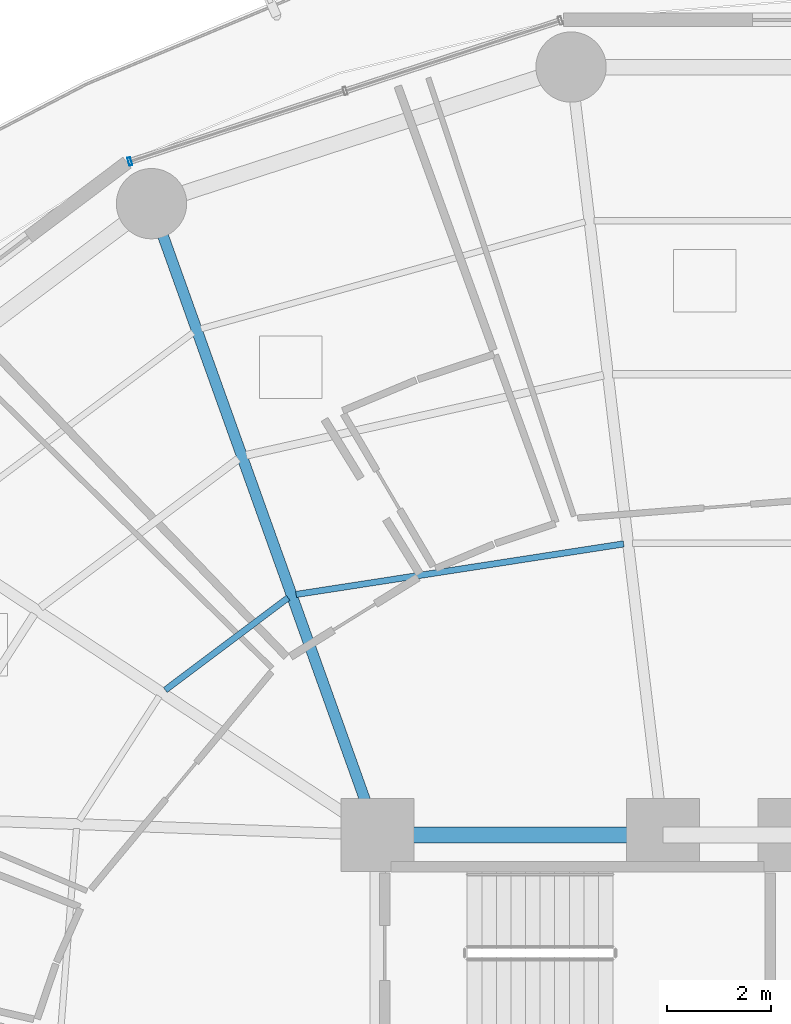
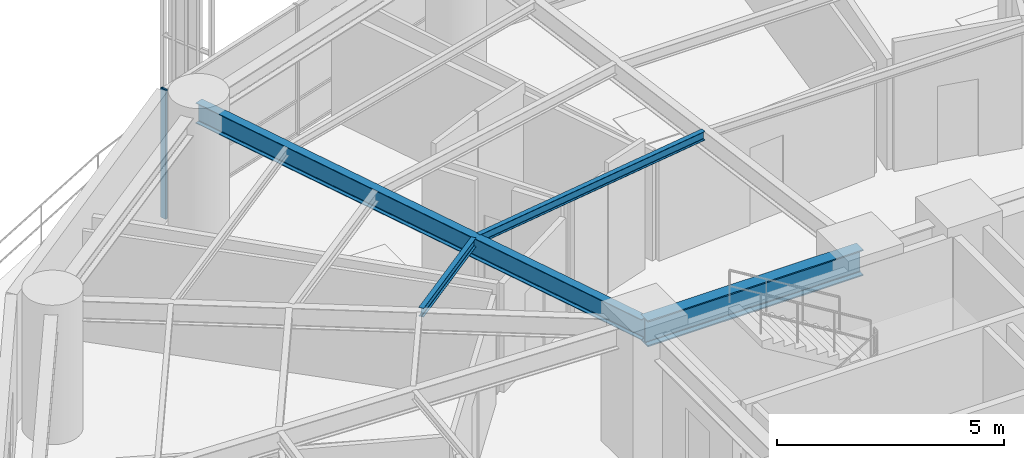
# One storey, part 17 of 33: 4 beams, 1 member, 1 element without a shape of its own.
"""IFC4 building model written with IfcOpenShell, lengths in metres."""

import ifcopenshell
import ifcopenshell.guid

model = None  # the IFC model being written
_history = None  # IfcOwnerHistory: only IFC2X3 demands one
_inside = {}  # id of a spatial element -> (the spatial element, [elements in it])
_under = {}  # id of a project, library or spatial element -> (it, [spatial elements below it])
_declared = {}  # id of a project -> (the project, [libraries it declares])
_typed = {}  # id of a type object -> (the type object, [elements of that type])
_made_of = {}  # id of a material, layer set ... -> (it, [elements and type objects made of it])


def new_model(schema):
    """Start an empty IFC model of exactly this schema.

    Asked for "IFC4X3", IfcOpenShell would pick the latest addendum, in which some entities
    have other attributes; the version numbers below select the first issue.
    IFC2X3 requires an IfcOwnerHistory on every rooted entity: one is made here for all.
    """
    global model, _history
    if schema == "IFC4X3":
        model = ifcopenshell.file(schema_version=(4, 3, 0, 0))
    else:
        model = ifcopenshell.file(schema=schema)
    _inside.clear()
    _under.clear()
    _declared.clear()
    _typed.clear()
    _made_of.clear()
    _history = None
    if model.schema == "IFC2X3":
        org = make("IfcOrganization", Name="unknown")
        user = make(
            "IfcPersonAndOrganization",
            ThePerson=make("IfcPerson", FamilyName="unknown"),
            TheOrganization=org,
        )
        app = make(
            "IfcApplication",
            ApplicationDeveloper=org,
            Version="unknown",
            ApplicationFullName="unknown",
            ApplicationIdentifier="unknown",
        )
        _history = make(
            "IfcOwnerHistory",
            OwningUser=user,
            OwningApplication=app,
            ChangeAction="ADDED",
            CreationDate=0,
        )
    return model


def make(cls, **values):
    """One entity of the class cls with the attributes given. An attribute that is None is left unset."""
    return model.create_entity(
        cls, **{name: value for name, value in values.items() if value is not None}
    )


def rooted(cls, **values):
    """An entity with a GlobalId (a new one), such as an element, a storey or a relation."""
    return make(cls, GlobalId=ifcopenshell.guid.new(), OwnerHistory=_history, **values)


def si_unit(unit_type, name, prefix=None):
    """IfcSIUnit, for example si_unit("LENGTHUNIT", "METRE", prefix="MILLI")."""
    return make("IfcSIUnit", UnitType=unit_type, Prefix=prefix, Name=name)


def assignment(units):
    """IfcUnitAssignment: the units of a project."""
    return None if units is None else make("IfcUnitAssignment", Units=units)


def point(xyz):
    """IfcCartesianPoint."""
    return None if xyz is None else make("IfcCartesianPoint", Coordinates=xyz)


def direction(xyz):
    """IfcDirection."""
    return None if xyz is None else make("IfcDirection", DirectionRatios=xyz)


def frame(location, z_axis=None, x_axis=None):
    """IfcAxis2Placement3D, a coordinate frame: its origin and axes. An axis left out is left unset."""
    return make(
        "IfcAxis2Placement3D",
        Location=point(location),
        Axis=direction(z_axis),
        RefDirection=direction(x_axis),
    )


def frame_2d(location, x_axis=None):
    """IfcAxis2Placement2D, a coordinate frame in the plane: its origin and x axis."""
    return make(
        "IfcAxis2Placement2D", Location=point(location), RefDirection=direction(x_axis)
    )


def origin():
    """The frame at (0, 0, 0) with its axes left unset."""
    return frame((0.0, 0.0, 0.0))


def origin_2d():
    """The frame at (0, 0) in the plane with its x axis left unset."""
    return frame_2d((0.0, 0.0))


def place(relative_to, where):
    """IfcLocalPlacement: puts the frame where relative to a parent placement (None: the world)."""
    return make(
        "IfcLocalPlacement", PlacementRelTo=relative_to, RelativePlacement=where
    )


def context(
    kind, dimensions, precision=None, world=None, true_north=None, identifier=None
):
    """IfcGeometricRepresentationContext, for example the 3D "Model" context."""
    return make(
        "IfcGeometricRepresentationContext",
        ContextIdentifier=identifier,
        ContextType=kind,
        CoordinateSpaceDimension=dimensions,
        Precision=precision,
        WorldCoordinateSystem=world,
        TrueNorth=true_north,
    )


def subcontext(parent, identifier, kind, view, scale=None):
    """IfcGeometricRepresentationSubContext, for example "Body" below "Model"."""
    return make(
        "IfcGeometricRepresentationSubContext",
        ContextIdentifier=identifier,
        ContextType=kind,
        ParentContext=parent,
        TargetScale=scale,
        TargetView=view,
    )


def project(units=None, contexts=None):
    """IfcProject with its units and contexts."""
    return rooted(
        "IfcProject",
        Name="project",
        RepresentationContexts=contexts,
        UnitsInContext=assignment(units),
    )


def spatial(cls, under=None, at=None, **own):
    """A site, building, storey or space (cls), placed at a placement, below another one or the project."""
    s = rooted(cls, ObjectPlacement=at, **own)
    if under is not None:
        _under.setdefault(under.id(), (under, []))[1].append(s)
    return s


def profile(cls, at=None, kind="AREA", **sizes):
    """A parametric profile (cls). Its sizes go by their IFC names, for example OverallWidth=200.0."""
    return make(cls, ProfileType=kind, Position=at, **sizes)


def hollow_rectangle(**sizes):
    """IfcRectangleHollowProfileDef."""
    return profile("IfcRectangleHollowProfileDef", **sizes)


def i_section(**sizes):
    """IfcIShapeProfileDef."""
    return profile("IfcIShapeProfileDef", **sizes)


def extrude(swept, where, along, depth):
    """IfcExtrudedAreaSolid: the profile swept, set in the frame where, extruded along a direction by depth."""
    return make(
        "IfcExtrudedAreaSolid",
        SweptArea=swept,
        Position=where,
        ExtrudedDirection=direction(along),
        Depth=depth,
    )


def shape(context_of_items, identifier, shape_type, items):
    """IfcShapeRepresentation: the items that make up one representation, for example the "Body"."""
    return make(
        "IfcShapeRepresentation",
        ContextOfItems=context_of_items,
        RepresentationIdentifier=identifier,
        RepresentationType=shape_type,
        Items=items,
    )


def material(Name=None, Category=None):
    """IfcMaterial."""
    return make("IfcMaterial", Name=Name, Category=Category)


def layer(
    of_material, thickness, ventilated=None, Name=None, Category=None, Priority=None
):
    """IfcMaterialLayer: one layer of a wall or slab, of a material (None: an air gap)."""
    return make(
        "IfcMaterialLayer",
        Material=of_material,
        LayerThickness=thickness,
        IsVentilated=ventilated,
        Name=Name,
        Category=Category,
        Priority=Priority,
    )


def layer_set(layers, Name=None):
    """IfcMaterialLayerSet."""
    return make("IfcMaterialLayerSet", MaterialLayers=layers, LayerSetName=Name)


def material_profile(
    of_material, cross_section, Name=None, Category=None, Priority=None
):
    """IfcMaterialProfile: a cross section and its material."""
    return make(
        "IfcMaterialProfile",
        Name=Name,
        Material=of_material,
        Profile=cross_section,
        Priority=Priority,
        Category=Category,
    )


def profile_set(profiles, Name=None, composite=None):
    """IfcMaterialProfileSet."""
    return make(
        "IfcMaterialProfileSet",
        Name=Name,
        MaterialProfiles=profiles,
        CompositeProfile=composite,
    )


def made_of(thing, what):
    """Note that an element or type object is made of a material, layer set ...; save() writes the relation."""
    if what is not None:
        _made_of.setdefault(what.id(), (what, []))[1].append(thing)
    return thing


def type_object(cls, material=None, **own):
    """A type object (cls), such as IfcWallType, which elements share."""
    return made_of(rooted(cls, **own), material)


def element(
    cls,
    number,
    at=None,
    inside=None,
    cuts=None,
    type_object=None,
    material=None,
    context=None,
    identifier="Body",
    shape_type=None,
    held_by="IfcProductDefinitionShape",
    body=None,
    shapes=None,
    **own,
):
    """One element of the class cls, such as IfcWall. Its Tag is "e" and its number.

    at: its placement. inside: the storey or other place that contains it. cuts: it is an
    opening in that element (IfcRelVoidsElement). A single representation is given by context,
    identifier, shape_type and body (its items); several are given by shapes. held_by: the class
    of the entity that holds the representations. save() writes the other relations.
    """
    e = rooted(cls, Tag="e%d" % number, ObjectPlacement=at, **own)
    if body is not None:
        shapes = [shape(context, identifier, shape_type, body)]
    if shapes is not None:
        e.Representation = make(held_by, Representations=shapes)
    if inside is not None:
        _inside.setdefault(inside.id(), (inside, []))[1].append(e)
    if cuts is not None:
        rooted(
            "IfcRelVoidsElement", RelatingBuildingElement=cuts, RelatedOpeningElement=e
        )
    if type_object is not None:
        _typed.setdefault(type_object.id(), (type_object, []))[1].append(e)
    return made_of(e, material)


def aggregate(whole, parts):
    """IfcRelAggregates: a whole, such as a stair, and the parts it consists of."""
    return rooted("IfcRelAggregates", RelatingObject=whole, RelatedObjects=parts)


def save(model, path):
    """Write the relations noted so far, then the file.

    IfcRelAggregates (storeys below a building ...), IfcRelContainedInSpatialStructure (elements
    in a storey), IfcRelDefinesByType, IfcRelAssociatesMaterial and IfcRelDeclares: one each for
    every whole, place, type object, material and project.
    """
    for whole, parts in _under.values():
        aggregate(whole, parts)
    for where, things in _inside.values():
        rooted(
            "IfcRelContainedInSpatialStructure",
            RelatedElements=things,
            RelatingStructure=where,
        )
    for kind, things in _typed.values():
        rooted("IfcRelDefinesByType", RelatedObjects=things, RelatingType=kind)
    for what, things in _made_of.values():
        rooted("IfcRelAssociatesMaterial", RelatedObjects=things, RelatingMaterial=what)
    for by, libraries in _declared.values():
        rooted("IfcRelDeclares", RelatingContext=by, RelatedDefinitions=libraries)
    model.write(path)


model = new_model("IFC4")

# Units and contexts
model_context = context("Model", 3, precision=1e-05, world=origin(), true_north=direction((0.0, 1.0)))
body_context = subcontext(model_context, "Body", "Model", "MODEL_VIEW")
ifc_project = project(units=[si_unit("LENGTHUNIT", "METRE"), si_unit("AREAUNIT", "SQUARE_METRE"), si_unit("VOLUMEUNIT", "CUBIC_METRE"), si_unit("PLANEANGLEUNIT", "RADIAN"), si_unit("MASSUNIT", "GRAM", prefix="KILO")], contexts=[model_context])

# Site, building, storey
site_placement = place(None, origin())
site = spatial("IfcSite", under=ifc_project, at=site_placement, CompositionType="ELEMENT")
building_placement = place(site_placement, origin())
building = spatial("IfcBuilding", under=site, at=building_placement, Name="Kelanora Arch Commons", CompositionType="ELEMENT")
storey_placement = place(building_placement, frame((0.0, 0.0, 83.85009765625)))
storey = spatial("IfcBuildingStorey", under=building, at=storey_placement, Name="L21", CompositionType="ELEMENT", Elevation=83.85009765625)

# Beams
ifc_material_1 = material(Name="Steel S355", Category="steel")
ifc_material_profile_1 = material_profile(ifc_material_1, i_section(OverallWidth=0.300048828125, OverallDepth=0.699951171875, WebThickness=0.01708984375, FlangeThickness=0.031982421875, FilletRadius=0.027099609375, at=origin_2d()), Name="HEB700")
ifc_profile_set_1 = profile_set([ifc_material_profile_1], Name="Steel S355")
beam_type_1 = type_object("IfcBeamType", Name="BM-CORE-HDR", PredefinedType="BEAM", material=ifc_profile_set_1)
beam_1_placement = place(storey_placement, frame((71.47998046875, 65.0, 3.139892578125), z_axis=(-1.0, 0.0, 0.0), x_axis=(0.0, -1.0, 0.0)))
element("IfcBeam", 1, at=beam_1_placement, inside=storey, type_object=beam_type_1, Name="Core Header Beam 07 L21", PredefinedType="BEAM", context=body_context, shape_type="SweptSolid", body=[
    extrude(i_section(OverallWidth=0.300048828125, OverallDepth=0.699951171875, WebThickness=0.01708984375, FlangeThickness=0.031982421875, FilletRadius=0.027099609375, at=origin_2d()), origin(), (0.0, 0.0, 1.0), 5.47998046875),
])
ifc_material_profile_2 = material_profile(ifc_material_1, i_section(OverallWidth=0.1201171875, OverallDepth=0.239990234375, WebThickness=0.006103515625, FlangeThickness=0.009765625, FilletRadius=0.014892578125, at=origin_2d()), Name="IPE240")
ifc_profile_set_2 = profile_set([ifc_material_profile_2], Name="Steel S355")
beam_type_2 = type_object("IfcBeamType", Name="BM-JST-02", PredefinedType="JOIST", material=ifc_profile_set_2)
beam_2_placement = place(storey_placement, frame((70.72509765625, 70.590087890625, 3.369873046875), z_axis=(-0.988295745497, -0.152550055496, 0.0), x_axis=(0.152550055496, -0.988295745497, 0.0)))
element("IfcBeam", 2, at=beam_2_placement, inside=storey, type_object=beam_type_2, Name="Secondary Chord Joist BJA-10 L21", PredefinedType="JOIST", context=body_context, shape_type="SweptSolid", body=[
    extrude(i_section(OverallWidth=0.1201171875, OverallDepth=0.239990234375, WebThickness=0.006103515625, FlangeThickness=0.009765625, FilletRadius=0.014892578125, at=origin_2d()), origin(), (0.0, 0.0, 1.0), 6.36474609375),
])
beam_3_placement = place(storey_placement, frame((64.28271484375, 69.555419921875, 3.369873046875), z_axis=(-0.799692034361, -0.600410401458, 0.0), x_axis=(0.600410401458, -0.799692034361, 0.0)))
element("IfcBeam", 3, at=beam_3_placement, inside=storey, type_object=beam_type_2, Name="Secondary Chord Joist BJA-12 L21", PredefinedType="JOIST", context=body_context, shape_type="SweptSolid", body=[
    extrude(i_section(OverallWidth=0.1201171875, OverallDepth=0.239990234375, WebThickness=0.006103515625, FlangeThickness=0.009765625, FilletRadius=0.014892578125, at=origin_2d()), origin(), (0.0, 0.0, 1.0), 2.949951171875),
])
ifc_material_profile_3 = material_profile(ifc_material_1, i_section(OverallWidth=0.2099609375, OverallDepth=0.550048828125, WebThickness=0.010986328125, FlangeThickness=0.01708984375, FilletRadius=0.02392578125, at=origin_2d()), Name="IPE550")
ifc_profile_set_3 = profile_set([ifc_material_profile_3], Name="Steel S355")
beam_type_3 = type_object("IfcBeamType", Name="BM-RAD-Z2", PredefinedType="BEAM", material=ifc_profile_set_3)
beam_4_placement = place(storey_placement, frame((66.0, 65.0, 3.21484375), z_axis=(-0.337084640008, 0.941474346687, 0.0), x_axis=(-0.941474346687, -0.337084640008, 0.0)))
element("IfcBeam", 4, at=beam_4_placement, inside=storey, type_object=beam_type_3, Name="Radial Floor Girder BR-12 L21", PredefinedType="BEAM", context=body_context, shape_type="SweptSolid", body=[
    extrude(i_section(OverallWidth=0.2099609375, OverallDepth=0.550048828125, WebThickness=0.010986328125, FlangeThickness=0.01708984375, FilletRadius=0.02392578125, at=origin_2d()), origin(), (0.0, 0.0, 1.0), 12.875244140625),
])

# Curtain wall, member
ifc_material_2 = material(Name="Terracotta ceramic-fritted low-E glass and aluminium", Category="masonry")
ifc_layer = layer(ifc_material_2, 0.159912109375)
ifc_layer_set = layer_set([ifc_layer], Name="Terracotta ceramic-fritted low-E glass and aluminium")
curtain_wall_type = type_object("IfcCurtainWallType", Name="CW-SYS-01", PredefinedType="NOTDEFINED", material=ifc_layer_set)
curtain_wall_placement = place(storey_placement, origin())
curtain_wall = element("IfcCurtainWall", 5, at=curtain_wall_placement, inside=storey, type_object=curtain_wall_type, Name="Unitised Curtain Wall L21-B05", PredefinedType="NOTDEFINED")
ifc_material_3 = material(Name="Powder-coated aluminium terracotta", Category="masonry")
ifc_material_profile_4 = material_profile(ifc_material_3, hollow_rectangle(XDim=0.159912109375, YDim=0.06005859375, WallThickness=0.0048828125, InnerFilletRadius=0.0048828125, OuterFilletRadius=0.010009765625, at=origin_2d()), Name="CWM160x60")
ifc_profile_set_4 = profile_set([ifc_material_profile_4], Name="Powder-coated aluminium terracotta")
member_type = type_object("IfcMemberType", Name="CWM-STD", PredefinedType="MULLION", material=ifc_profile_set_4)
member_placement = place(storey_placement, frame((61.242919921875, 77.9326171875, 0.0), z_axis=(0.0, 0.0, 1.0), x_axis=(0.31080470294, -0.950473795867, 0.0)))
member = element("IfcMember", 6, at=member_placement, type_object=member_type, Name="CW-01 mullion 3", PredefinedType="MULLION", context=body_context, shape_type="SweptSolid", body=[
    extrude(hollow_rectangle(XDim=0.159912109375, YDim=0.06005859375, WallThickness=0.0048828125, InnerFilletRadius=0.0048828125, OuterFilletRadius=0.010009765625, at=origin_2d()), origin(), (0.0, 0.0, 1.0), 3.474853515625),
])
aggregate(curtain_wall, [member])

save(model, "model.ifc")
